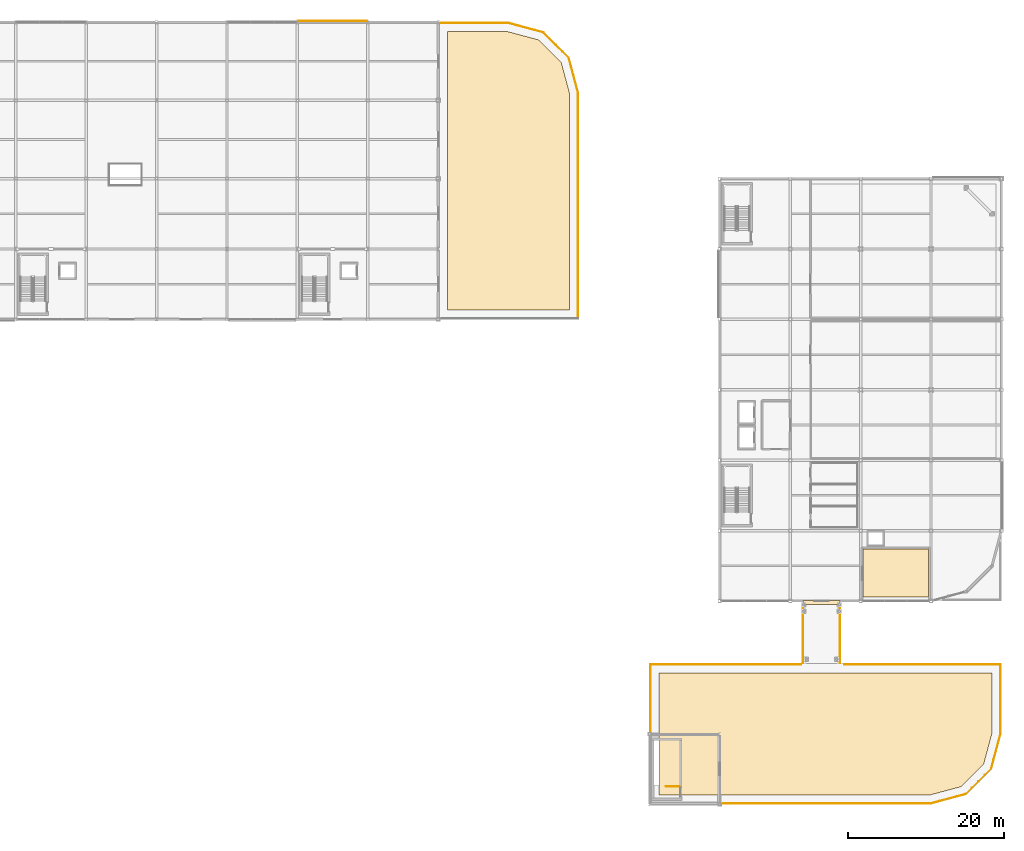
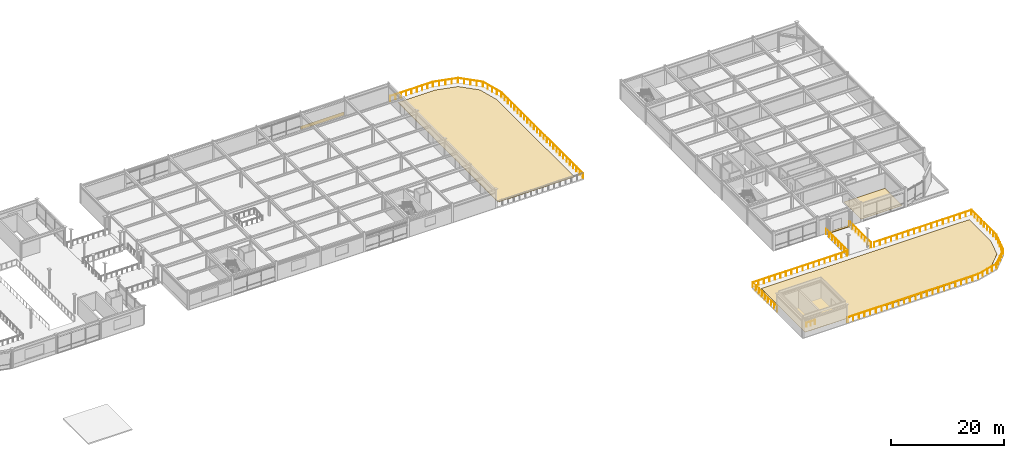
# One storey, part 49 of 53: 16 railings, 5 coverings.
"""IFC4 building model written with IfcOpenShell, lengths in metres."""

from ifc_helpers import new_model, si_unit, direction, frame, origin, origin_2d, place, context, subcontext, project, spatial, polyline, rectangle, circle, outline, extrude, material, layer, layer_set, type_object, element, save


model = new_model("IFC4")

# Units and contexts
model_context = context("Model", 3, precision=1e-05, world=origin(), true_north=direction((0.0, 1.0)))
body_context = subcontext(model_context, "Body", "Model", "MODEL_VIEW")
ifc_project = project(units=[si_unit("LENGTHUNIT", "METRE"), si_unit("AREAUNIT", "SQUARE_METRE"), si_unit("VOLUMEUNIT", "CUBIC_METRE"), si_unit("PLANEANGLEUNIT", "RADIAN"), si_unit("MASSUNIT", "GRAM", prefix="KILO")], contexts=[model_context])

# Site, building, storey
site_placement = place(None, origin())
site = spatial("IfcSite", under=ifc_project, at=site_placement, CompositionType="ELEMENT")
building_placement = place(site_placement, origin())
building = spatial("IfcBuilding", under=site, at=building_placement, Name="Suzunagisa Mobility Hub", CompositionType="ELEMENT")
storey_placement = place(building_placement, frame((0.0, 0.0, 17.699951171875)))
storey = spatial("IfcBuildingStorey", under=building, at=storey_placement, Name="L04", CompositionType="ELEMENT", Elevation=17.699951171875)

# Railing
ifc_material_1 = material(Name="Stainless Steel SUS304", Category="metal")
railing_type_1 = type_object("IfcRailingType", Name="Interior Well Guardrail IGR-01", PredefinedType="GUARDRAIL", material=ifc_material_1)
railing_1_placement = place(storey_placement, frame((138.840087890625, 20.31005859375, 0.0)))
element("IfcRailing", 1, at=railing_1_placement, inside=storey, type_object=railing_type_1, Name="L04 ST-09 top well guard 1", PredefinedType="GUARDRAIL", context=body_context, shape_type="SweptSolid", body=[
    extrude(circle(Radius=0.02392578125, at=origin_2d()), frame((0.0, 0.0, 1.09619140625), z_axis=(-1.0, 0.0, 0.0), x_axis=(0.0, -1.0, 0.0)), (0.0, 0.0, 1.0), 1.719970703125),
    extrude(circle(Radius=0.02099609375, at=origin_2d()), origin(), (0.0, 0.0, 1.0), 1.072021484375),
    extrude(circle(Radius=0.02099609375, at=origin_2d()), frame((-0.85986328125, 0.0, 0.0)), (0.0, 0.0, 1.0), 1.072021484375),
    extrude(circle(Radius=0.02099609375, at=origin_2d()), frame((-1.719970703125, 0.0, 0.0)), (0.0, 0.0, 1.0), 1.072021484375),
])

# Coverings
ifc_material_2 = material(Name="Polished Aggregate Terrazzo Finish")
ifc_layer_1 = layer(ifc_material_2, 0.02001953125)
ifc_layer_set_1 = layer_set([ifc_layer_1], Name="Polished Aggregate Terrazzo Finish")
covering_type_1 = type_object("IfcCoveringType", Name="Polished Terrazzo Heavy-Traffic Flooring FLR-01", PredefinedType="FLOORING", material=ifc_layer_set_1)
covering_1_placement = place(storey_placement, origin())
element("IfcCovering", 2, at=covering_1_placement, inside=storey, type_object=covering_type_1, Name="L04 East Wing Heat-Recovery Plant Room L04 Terrazzo Flooring", PredefinedType="FLOORING", context=body_context, shape_type="SweptSolid", body=[
    extrude(outline(polyline([(170.679931640625, 50.679931640625), (170.679931640625, 44.52001953125), (162.27001953125, 44.52001953125), (162.27001953125, 50.679931640625), (170.679931640625, 50.679931640625)])), origin(), (0.0, 0.0, 1.0), 0.02001953125),
])
covering_2_placement = place(storey_placement, frame((0.0, 0.0, -0.02001953125)))
element("IfcCovering", 3, at=covering_2_placement, inside=storey, type_object=covering_type_1, Name="L04 Flush Hinged Seismic Threshold Plate SB-06", PredefinedType="FLOORING", context=body_context, shape_type="SweptSolid", body=[
    extrude(outline(polyline([(154.64990234375, 43.570068359375), (159.35009765625, 43.570068359375), (159.35009765625, 44.080078125), (154.64990234375, 44.080078125), (154.64990234375, 43.570068359375)])), origin(), (0.0, 0.0, 1.0), 0.02001953125),
])
ifc_material_3 = material(Name="Vitreous Porcelain Enamel Aluminum Cladding", Category="aluminium")
ifc_layer_2 = layer(ifc_material_3, 0.034912109375)
ifc_layer_set_2 = layer_set([ifc_layer_2], Name="Vitreous Porcelain Enamel Aluminum Cladding")
covering_type_2 = type_object("IfcCoveringType", Name="Porcelain Enamel Spandrel Cladding Band CLD-01", PredefinedType="CLADDING", material=ifc_layer_set_2)
covering_3_placement = place(storey_placement, frame((94.5, 118.137451171875, 0.06005859375), z_axis=(0.0, 0.0, 1.0), x_axis=(-1.0, 0.0, 0.0)))
element("IfcCovering", 4, at=covering_3_placement, inside=storey, type_object=covering_type_2, Name="L04 Porcelain Spandrel Cladding Band CLD-26", PredefinedType="CLADDING", context=body_context, shape_type="SweptSolid", body=[
    extrude(rectangle(XDim=8.89111328125, YDim=0.034912109375, at=origin_2d()), origin(), (0.0, 0.0, 1.0), 0.719970703125),
])

# Railings
ifc_material_4 = material(Name="Anodized Aluminum and Stainless Steel SUS316", Category="metal")
railing_type_2 = type_object("IfcRailingType", Name="Streamline Ship-Deck Tubular Balustrade BL-01", PredefinedType="BALUSTRADE", material=ifc_material_4)
for number, where, name in (
    (5, (154.6201171875, 36.050048828125, 0.0), "L04 Bridge Edge Guardrail SB-06-69"),
    (6, (159.3798828125, 36.050048828125, 0.0), "L04 Bridge Edge Guardrail SB-06-70"),
):
    element("IfcRailing", number, at=place(storey_placement, frame(where)), inside=storey, type_object=railing_type_2, Name=name, PredefinedType="BALUSTRADE", context=body_context, shape_type="SweptSolid", body=[
        extrude(circle(Radius=0.02392578125, at=origin_2d()), frame((0.0, 0.0, 1.11572265625), z_axis=(0.0, 1.0, 0.0), x_axis=(-1.0, 0.0, 0.0)), (0.0, 0.0, 1.0), 7.550048828125),
        extrude(circle(Radius=0.02099609375, at=origin_2d()), origin(), (0.0, 0.0, 1.0), 1.091796875),
        extrude(circle(Radius=0.02099609375, at=origin_2d()), frame((0.0, 1.07861328125, 0.0)), (0.0, 0.0, 1.0), 1.091796875),
        extrude(circle(Radius=0.02099609375, at=origin_2d()), frame((0.0, 2.1572265625, 0.0)), (0.0, 0.0, 1.0), 1.091796875),
        extrude(circle(Radius=0.02099609375, at=origin_2d()), frame((0.0, 3.23583984375, 0.0)), (0.0, 0.0, 1.0), 1.091796875),
        extrude(circle(Radius=0.02099609375, at=origin_2d()), frame((0.0, 4.314208984375, 0.0)), (0.0, 0.0, 1.0), 1.091796875),
        extrude(circle(Radius=0.02099609375, at=origin_2d()), frame((0.0, 5.392822265625, 0.0)), (0.0, 0.0, 1.0), 1.091796875),
        extrude(circle(Radius=0.02099609375, at=origin_2d()), frame((0.0, 6.471435546875, 0.0)), (0.0, 0.0, 1.0), 1.091796875),
        extrude(circle(Radius=0.02099609375, at=origin_2d()), frame((0.0, 7.550048828125, 0.0)), (0.0, 0.0, 1.0), 1.091796875),
    ])

# Coverings
ifc_material_5 = material(Name="TPO Waterproof Membrane over Rigid Insulation")
ifc_layer_3 = layer(ifc_material_5, 0.044921875)
ifc_layer_set_3 = layer_set([ifc_layer_3], Name="TPO Waterproof Membrane over Rigid Insulation")
covering_type_3 = type_object("IfcCoveringType", Name="TPO Insulated Waterproof Roof Membrane RF-01", PredefinedType="ROOFING", material=ifc_layer_set_3)
covering_4_placement = place(storey_placement, origin())
element("IfcCovering", 7, at=covering_4_placement, inside=storey, type_object=covering_type_3, Name="L04 Terrace Deck Waterproofing Layer RF-57", PredefinedType="ROOFING", context=body_context, shape_type="SweptSolid", body=[
    extrude(outline(polyline([(109.199951171875, 81.199951171875), (109.199951171875, 116.800048828125), (116.842041015625, 116.800048828125), (120.87890625, 115.71826171875), (123.71826171875, 112.87890625), (124.800048828125, 108.842041015625), (124.800048828125, 81.199951171875), (109.199951171875, 81.199951171875)])), origin(), (0.0, 0.0, 1.0), 0.045166015625),
])
covering_5_placement = place(storey_placement, origin())
element("IfcCovering", 8, at=covering_5_placement, inside=storey, type_object=covering_type_3, Name="L04 Terrace Deck Waterproofing Layer RF-61", PredefinedType="ROOFING", context=body_context, shape_type="SweptSolid", body=[
    extrude(outline(polyline([(136.199951171875, 19.199951171875), (136.199951171875, 34.800048828125), (178.800048828125, 34.800048828125), (178.800048828125, 27.157958984375), (177.71826171875, 23.12109375), (174.87890625, 20.28173828125), (170.842041015625, 19.199951171875), (136.199951171875, 19.199951171875)])), origin(), (0.0, 0.0, 1.0), 0.045166015625),
])

# Railings
ifc_material_6 = material(Name="Stainless Steel SUS316", Category="metal")
railing_type_3 = type_object("IfcRailingType", Name="Terrace Stainless Steel Guardrail GR-01", PredefinedType="GUARDRAIL", material=ifc_material_6)
railing_2_placement = place(storey_placement, frame((108.25, 117.8798828125, 0.0)))
element("IfcRailing", 9, at=railing_2_placement, inside=storey, type_object=railing_type_3, Name="L04 Terrace Perimeter Guardrail GR-29", PredefinedType="GUARDRAIL", context=body_context, shape_type="SweptSolid", body=[
    extrude(circle(Radius=0.02392578125, at=origin_2d()), frame((0.0, 0.0, 1.09619140625), z_axis=(1.0, 0.0, 0.0), x_axis=(0.0, 1.0, 0.0)), (0.0, 0.0, 1.0), 8.734130859375),
    extrude(circle(Radius=0.02099609375, at=origin_2d()), origin(), (0.0, 0.0, 1.0), 1.072021484375),
    extrude(circle(Radius=0.02099609375, at=origin_2d()), frame((1.091796875, 0.0, 0.0)), (0.0, 0.0, 1.0), 1.072021484375),
    extrude(circle(Radius=0.02099609375, at=origin_2d()), frame((2.18359375, 0.0, 0.0)), (0.0, 0.0, 1.0), 1.072021484375),
    extrude(circle(Radius=0.02099609375, at=origin_2d()), frame((3.275390625, 0.0, 0.0)), (0.0, 0.0, 1.0), 1.072021484375),
    extrude(circle(Radius=0.02099609375, at=origin_2d()), frame((4.3671875, 0.0, 0.0)), (0.0, 0.0, 1.0), 1.072021484375),
    extrude(circle(Radius=0.02099609375, at=origin_2d()), frame((5.458740234375, 0.0, 0.0)), (0.0, 0.0, 1.0), 1.072021484375),
    extrude(circle(Radius=0.02099609375, at=origin_2d()), frame((6.550537109375, 0.0, 0.0)), (0.0, 0.0, 1.0), 1.072021484375),
    extrude(circle(Radius=0.02099609375, at=origin_2d()), frame((7.642333984375, 0.0, 0.0)), (0.0, 0.0, 1.0), 1.072021484375),
    extrude(circle(Radius=0.02099609375, at=origin_2d()), frame((8.734130859375, 0.0, 0.0)), (0.0, 0.0, 1.0), 1.072021484375),
])
railing_3_placement = place(storey_placement, frame((116.984130859375, 117.8798828125, 0.0)))
element("IfcRailing", 10, at=railing_3_placement, inside=storey, type_object=railing_type_3, Name="L04 Terrace Perimeter Guardrail GR-30", PredefinedType="GUARDRAIL", context=body_context, shape_type="SweptSolid", body=[
    extrude(circle(Radius=0.02392578125, at=origin_2d()), frame((0.0, 0.0, 1.09619140625), z_axis=(0.965928435479, -0.258809307275, 0.0), x_axis=(0.258809307275, 0.965928435479, 0.0)), (0.0, 0.0, 1.0), 4.61083984375),
    extrude(circle(Radius=0.02099609375, at=origin_2d()), origin(), (0.0, 0.0, 1.0), 1.072021484375),
    extrude(circle(Radius=0.02099609375, at=origin_2d()), frame((1.113525390625, -0.29833984375, 0.0)), (0.0, 0.0, 1.0), 1.072021484375),
    extrude(circle(Radius=0.02099609375, at=origin_2d()), frame((2.22705078125, -0.5966796875, 0.0)), (0.0, 0.0, 1.0), 1.072021484375),
    extrude(circle(Radius=0.02099609375, at=origin_2d()), frame((3.34033203125, -0.89501953125, 0.0)), (0.0, 0.0, 1.0), 1.072021484375),
    extrude(circle(Radius=0.02099609375, at=origin_2d()), frame((4.453857421875, -1.193359375, 0.0)), (0.0, 0.0, 1.0), 1.072021484375),
])
railing_4_placement = place(storey_placement, frame((121.43798828125, 116.6865234375, 0.0)))
element("IfcRailing", 11, at=railing_4_placement, inside=storey, type_object=railing_type_3, Name="L04 Terrace Perimeter Guardrail GR-31", PredefinedType="GUARDRAIL", context=body_context, shape_type="SweptSolid", body=[
    extrude(circle(Radius=0.02392578125, at=origin_2d()), frame((0.0, 0.0, 1.09619140625), z_axis=(0.707106781187, -0.707106781187, 0.0), x_axis=(0.707106781187, 0.707106781187, 0.0)), (0.0, 0.0, 1.0), 4.59423828125),
    extrude(circle(Radius=0.02099609375, at=origin_2d()), origin(), (0.0, 0.0, 1.0), 1.072021484375),
    extrude(circle(Radius=0.02099609375, at=origin_2d()), frame((0.81201171875, -0.81201171875, 0.0)), (0.0, 0.0, 1.0), 1.072021484375),
    extrude(circle(Radius=0.02099609375, at=origin_2d()), frame((1.624267578125, -1.624267578125, 0.0)), (0.0, 0.0, 1.0), 1.072021484375),
    extrude(circle(Radius=0.02099609375, at=origin_2d()), frame((2.4365234375, -2.4365234375, 0.0)), (0.0, 0.0, 1.0), 1.072021484375),
    extrude(circle(Radius=0.02099609375, at=origin_2d()), frame((3.24853515625, -3.24853515625, 0.0)), (0.0, 0.0, 1.0), 1.072021484375),
])
railing_5_placement = place(storey_placement, frame((124.6865234375, 113.43798828125, 0.0)))
element("IfcRailing", 12, at=railing_5_placement, inside=storey, type_object=railing_type_3, Name="L04 Terrace Perimeter Guardrail GR-32", PredefinedType="GUARDRAIL", context=body_context, shape_type="SweptSolid", body=[
    extrude(circle(Radius=0.02392578125, at=origin_2d()), frame((0.0, 0.0, 1.09619140625), z_axis=(0.258809307275, -0.965928435479, 0.0), x_axis=(0.965928435479, 0.258809307275, 0.0)), (0.0, 0.0, 1.0), 4.61083984375),
    extrude(circle(Radius=0.02099609375, at=origin_2d()), origin(), (0.0, 0.0, 1.0), 1.072021484375),
    extrude(circle(Radius=0.02099609375, at=origin_2d()), frame((0.29833984375, -1.113525390625, 0.0)), (0.0, 0.0, 1.0), 1.072021484375),
    extrude(circle(Radius=0.02099609375, at=origin_2d()), frame((0.5966796875, -2.22705078125, 0.0)), (0.0, 0.0, 1.0), 1.072021484375),
    extrude(circle(Radius=0.02099609375, at=origin_2d()), frame((0.89501953125, -3.34033203125, 0.0)), (0.0, 0.0, 1.0), 1.072021484375),
    extrude(circle(Radius=0.02099609375, at=origin_2d()), frame((1.193359375, -4.453857421875, 0.0)), (0.0, 0.0, 1.0), 1.072021484375),
])
railing_6_placement = place(storey_placement, frame((125.8798828125, 108.984130859375, 0.0)))
element("IfcRailing", 13, at=railing_6_placement, inside=storey, type_object=railing_type_3, Name="L04 Terrace Perimeter Guardrail GR-33", PredefinedType="GUARDRAIL", context=body_context, shape_type="SweptSolid", body=[
    extrude(circle(Radius=0.02392578125, at=origin_2d()), frame((0.0, 0.0, 1.09619140625), z_axis=(0.0, -1.0, 0.0), x_axis=(1.0, 0.0, 0.0)), (0.0, 0.0, 1.0), 28.864013671875),
    extrude(circle(Radius=0.02099609375, at=origin_2d()), origin(), (0.0, 0.0, 1.0), 1.072021484375),
    extrude(circle(Radius=0.02099609375, at=origin_2d()), frame((0.0, -1.154541015625, 0.0)), (0.0, 0.0, 1.0), 1.072021484375),
    extrude(circle(Radius=0.02099609375, at=origin_2d()), frame((0.0, -2.30908203125, 0.0)), (0.0, 0.0, 1.0), 1.072021484375),
    extrude(circle(Radius=0.02099609375, at=origin_2d()), frame((0.0, -3.463623046875, 0.0)), (0.0, 0.0, 1.0), 1.072021484375),
    extrude(circle(Radius=0.02099609375, at=origin_2d()), frame((0.0, -4.6181640625, 0.0)), (0.0, 0.0, 1.0), 1.072021484375),
    extrude(circle(Radius=0.02099609375, at=origin_2d()), frame((0.0, -5.772705078125, 0.0)), (0.0, 0.0, 1.0), 1.072021484375),
    extrude(circle(Radius=0.02099609375, at=origin_2d()), frame((0.0, -6.92724609375, 0.0)), (0.0, 0.0, 1.0), 1.072021484375),
    extrude(circle(Radius=0.02099609375, at=origin_2d()), frame((0.0, -8.08203125, 0.0)), (0.0, 0.0, 1.0), 1.072021484375),
    extrude(circle(Radius=0.02099609375, at=origin_2d()), frame((0.0, -9.236572265625, 0.0)), (0.0, 0.0, 1.0), 1.072021484375),
    extrude(circle(Radius=0.02099609375, at=origin_2d()), frame((0.0, -10.39111328125, 0.0)), (0.0, 0.0, 1.0), 1.072021484375),
    extrude(circle(Radius=0.02099609375, at=origin_2d()), frame((0.0, -11.545654296875, 0.0)), (0.0, 0.0, 1.0), 1.072021484375),
    extrude(circle(Radius=0.02099609375, at=origin_2d()), frame((0.0, -12.7001953125, 0.0)), (0.0, 0.0, 1.0), 1.072021484375),
    extrude(circle(Radius=0.02099609375, at=origin_2d()), frame((0.0, -13.854736328125, 0.0)), (0.0, 0.0, 1.0), 1.072021484375),
    extrude(circle(Radius=0.02099609375, at=origin_2d()), frame((0.0, -15.00927734375, 0.0)), (0.0, 0.0, 1.0), 1.072021484375),
    extrude(circle(Radius=0.02099609375, at=origin_2d()), frame((0.0, -16.163818359375, 0.0)), (0.0, 0.0, 1.0), 1.072021484375),
    extrude(circle(Radius=0.02099609375, at=origin_2d()), frame((0.0, -17.318359375, 0.0)), (0.0, 0.0, 1.0), 1.072021484375),
    extrude(circle(Radius=0.02099609375, at=origin_2d()), frame((0.0, -18.472900390625, 0.0)), (0.0, 0.0, 1.0), 1.072021484375),
    extrude(circle(Radius=0.02099609375, at=origin_2d()), frame((0.0, -19.62744140625, 0.0)), (0.0, 0.0, 1.0), 1.072021484375),
    extrude(circle(Radius=0.02099609375, at=origin_2d()), frame((0.0, -20.781982421875, 0.0)), (0.0, 0.0, 1.0), 1.072021484375),
    extrude(circle(Radius=0.02099609375, at=origin_2d()), frame((0.0, -21.936767578125, 0.0)), (0.0, 0.0, 1.0), 1.072021484375),
    extrude(circle(Radius=0.02099609375, at=origin_2d()), frame((0.0, -23.09130859375, 0.0)), (0.0, 0.0, 1.0), 1.072021484375),
    extrude(circle(Radius=0.02099609375, at=origin_2d()), frame((0.0, -24.245849609375, 0.0)), (0.0, 0.0, 1.0), 1.072021484375),
    extrude(circle(Radius=0.02099609375, at=origin_2d()), frame((0.0, -25.400390625, 0.0)), (0.0, 0.0, 1.0), 1.072021484375),
    extrude(circle(Radius=0.02099609375, at=origin_2d()), frame((0.0, -26.554931640625, 0.0)), (0.0, 0.0, 1.0), 1.072021484375),
    extrude(circle(Radius=0.02099609375, at=origin_2d()), frame((0.0, -27.70947265625, 0.0)), (0.0, 0.0, 1.0), 1.072021484375),
    extrude(circle(Radius=0.02099609375, at=origin_2d()), frame((0.0, -28.864013671875, 0.0)), (0.0, 0.0, 1.0), 1.072021484375),
])
railing_7_placement = place(storey_placement, frame((135.1201171875, 27.25, 0.0)))
element("IfcRailing", 14, at=railing_7_placement, inside=storey, type_object=railing_type_3, Name="L04 Terrace Perimeter Guardrail GR-45", PredefinedType="GUARDRAIL", context=body_context, shape_type="SweptSolid", body=[
    extrude(circle(Radius=0.02392578125, at=origin_2d()), frame((0.0, 0.0, 1.09619140625), z_axis=(0.0, 1.0, 0.0), x_axis=(-1.0, 0.0, 0.0)), (0.0, 0.0, 1.0), 8.6298828125),
    extrude(circle(Radius=0.02099609375, at=origin_2d()), origin(), (0.0, 0.0, 1.0), 1.072021484375),
    extrude(circle(Radius=0.02099609375, at=origin_2d()), frame((0.0, 1.07861328125, 0.0)), (0.0, 0.0, 1.0), 1.072021484375),
    extrude(circle(Radius=0.02099609375, at=origin_2d()), frame((0.0, 2.157470703125, 0.0)), (0.0, 0.0, 1.0), 1.072021484375),
    extrude(circle(Radius=0.02099609375, at=origin_2d()), frame((0.0, 3.236328125, 0.0)), (0.0, 0.0, 1.0), 1.072021484375),
    extrude(circle(Radius=0.02099609375, at=origin_2d()), frame((0.0, 4.31494140625, 0.0)), (0.0, 0.0, 1.0), 1.072021484375),
    extrude(circle(Radius=0.02099609375, at=origin_2d()), frame((0.0, 5.3935546875, 0.0)), (0.0, 0.0, 1.0), 1.072021484375),
    extrude(circle(Radius=0.02099609375, at=origin_2d()), frame((0.0, 6.472412109375, 0.0)), (0.0, 0.0, 1.0), 1.072021484375),
    extrude(circle(Radius=0.02099609375, at=origin_2d()), frame((0.0, 7.55126953125, 0.0)), (0.0, 0.0, 1.0), 1.072021484375),
    extrude(circle(Radius=0.02099609375, at=origin_2d()), frame((0.0, 8.6298828125, 0.0)), (0.0, 0.0, 1.0), 1.072021484375),
])
railing_8_placement = place(storey_placement, frame((135.1201171875, 35.8798828125, 0.0)))
element("IfcRailing", 15, at=railing_8_placement, inside=storey, type_object=railing_type_3, Name="L04 Terrace Perimeter Guardrail GR-46", PredefinedType="GUARDRAIL", context=body_context, shape_type="SweptSolid", body=[
    extrude(circle(Radius=0.02392578125, at=origin_2d()), frame((0.0, 0.0, 1.09619140625), z_axis=(1.0, 0.0, 0.0), x_axis=(0.0, 1.0, 0.0)), (0.0, 0.0, 1.0), 19.259765625),
    extrude(circle(Radius=0.02099609375, at=origin_2d()), origin(), (0.0, 0.0, 1.0), 1.072021484375),
    extrude(circle(Radius=0.02099609375, at=origin_2d()), frame((1.1328125, 0.0, 0.0)), (0.0, 0.0, 1.0), 1.072021484375),
    extrude(circle(Radius=0.02099609375, at=origin_2d()), frame((2.265869140625, 0.0, 0.0)), (0.0, 0.0, 1.0), 1.072021484375),
    extrude(circle(Radius=0.02099609375, at=origin_2d()), frame((3.398681640625, 0.0, 0.0)), (0.0, 0.0, 1.0), 1.072021484375),
    extrude(circle(Radius=0.02099609375, at=origin_2d()), frame((4.53173828125, 0.0, 0.0)), (0.0, 0.0, 1.0), 1.072021484375),
    extrude(circle(Radius=0.02099609375, at=origin_2d()), frame((5.66455078125, 0.0, 0.0)), (0.0, 0.0, 1.0), 1.072021484375),
    extrude(circle(Radius=0.02099609375, at=origin_2d()), frame((6.797607421875, 0.0, 0.0)), (0.0, 0.0, 1.0), 1.072021484375),
    extrude(circle(Radius=0.02099609375, at=origin_2d()), frame((7.930419921875, 0.0, 0.0)), (0.0, 0.0, 1.0), 1.072021484375),
    extrude(circle(Radius=0.02099609375, at=origin_2d()), frame((9.0634765625, 0.0, 0.0)), (0.0, 0.0, 1.0), 1.072021484375),
    extrude(circle(Radius=0.02099609375, at=origin_2d()), frame((10.1962890625, 0.0, 0.0)), (0.0, 0.0, 1.0), 1.072021484375),
    extrude(circle(Radius=0.02099609375, at=origin_2d()), frame((11.329345703125, 0.0, 0.0)), (0.0, 0.0, 1.0), 1.072021484375),
    extrude(circle(Radius=0.02099609375, at=origin_2d()), frame((12.462158203125, 0.0, 0.0)), (0.0, 0.0, 1.0), 1.072021484375),
    extrude(circle(Radius=0.02099609375, at=origin_2d()), frame((13.59521484375, 0.0, 0.0)), (0.0, 0.0, 1.0), 1.072021484375),
    extrude(circle(Radius=0.02099609375, at=origin_2d()), frame((14.72802734375, 0.0, 0.0)), (0.0, 0.0, 1.0), 1.072021484375),
    extrude(circle(Radius=0.02099609375, at=origin_2d()), frame((15.861083984375, 0.0, 0.0)), (0.0, 0.0, 1.0), 1.072021484375),
    extrude(circle(Radius=0.02099609375, at=origin_2d()), frame((16.993896484375, 0.0, 0.0)), (0.0, 0.0, 1.0), 1.072021484375),
    extrude(circle(Radius=0.02099609375, at=origin_2d()), frame((18.126953125, 0.0, 0.0)), (0.0, 0.0, 1.0), 1.072021484375),
    extrude(circle(Radius=0.02099609375, at=origin_2d()), frame((19.259765625, 0.0, 0.0)), (0.0, 0.0, 1.0), 1.072021484375),
])
railing_9_placement = place(storey_placement, frame((159.949951171875, 35.8798828125, 0.0)))
element("IfcRailing", 16, at=railing_9_placement, inside=storey, type_object=railing_type_3, Name="L04 Terrace Perimeter Guardrail GR-47", PredefinedType="GUARDRAIL", context=body_context, shape_type="SweptSolid", body=[
    extrude(circle(Radius=0.02392578125, at=origin_2d()), frame((0.0, 0.0, 1.09619140625), z_axis=(1.0, 0.0, 0.0), x_axis=(0.0, 1.0, 0.0)), (0.0, 0.0, 1.0), 19.929931640625),
    extrude(circle(Radius=0.02099609375, at=origin_2d()), origin(), (0.0, 0.0, 1.0), 1.072021484375),
    extrude(circle(Radius=0.02099609375, at=origin_2d()), frame((1.17236328125, 0.0, 0.0)), (0.0, 0.0, 1.0), 1.072021484375),
    extrude(circle(Radius=0.02099609375, at=origin_2d()), frame((2.3447265625, 0.0, 0.0)), (0.0, 0.0, 1.0), 1.072021484375),
    extrude(circle(Radius=0.02099609375, at=origin_2d()), frame((3.51708984375, 0.0, 0.0)), (0.0, 0.0, 1.0), 1.072021484375),
    extrude(circle(Radius=0.02099609375, at=origin_2d()), frame((4.689453125, 0.0, 0.0)), (0.0, 0.0, 1.0), 1.072021484375),
    extrude(circle(Radius=0.02099609375, at=origin_2d()), frame((5.86181640625, 0.0, 0.0)), (0.0, 0.0, 1.0), 1.072021484375),
    extrude(circle(Radius=0.02099609375, at=origin_2d()), frame((7.0341796875, 0.0, 0.0)), (0.0, 0.0, 1.0), 1.072021484375),
    extrude(circle(Radius=0.02099609375, at=origin_2d()), frame((8.20654296875, 0.0, 0.0)), (0.0, 0.0, 1.0), 1.072021484375),
    extrude(circle(Radius=0.02099609375, at=origin_2d()), frame((9.37890625, 0.0, 0.0)), (0.0, 0.0, 1.0), 1.072021484375),
    extrude(circle(Radius=0.02099609375, at=origin_2d()), frame((10.551025390625, 0.0, 0.0)), (0.0, 0.0, 1.0), 1.072021484375),
    extrude(circle(Radius=0.02099609375, at=origin_2d()), frame((11.723388671875, 0.0, 0.0)), (0.0, 0.0, 1.0), 1.072021484375),
    extrude(circle(Radius=0.02099609375, at=origin_2d()), frame((12.895751953125, 0.0, 0.0)), (0.0, 0.0, 1.0), 1.072021484375),
    extrude(circle(Radius=0.02099609375, at=origin_2d()), frame((14.068115234375, 0.0, 0.0)), (0.0, 0.0, 1.0), 1.072021484375),
    extrude(circle(Radius=0.02099609375, at=origin_2d()), frame((15.240478515625, 0.0, 0.0)), (0.0, 0.0, 1.0), 1.072021484375),
    extrude(circle(Radius=0.02099609375, at=origin_2d()), frame((16.412841796875, 0.0, 0.0)), (0.0, 0.0, 1.0), 1.072021484375),
    extrude(circle(Radius=0.02099609375, at=origin_2d()), frame((17.585205078125, 0.0, 0.0)), (0.0, 0.0, 1.0), 1.072021484375),
    extrude(circle(Radius=0.02099609375, at=origin_2d()), frame((18.757568359375, 0.0, 0.0)), (0.0, 0.0, 1.0), 1.072021484375),
    extrude(circle(Radius=0.02099609375, at=origin_2d()), frame((19.929931640625, 0.0, 0.0)), (0.0, 0.0, 1.0), 1.072021484375),
])
railing_10_placement = place(storey_placement, frame((179.8798828125, 35.8798828125, 0.0)))
element("IfcRailing", 17, at=railing_10_placement, inside=storey, type_object=railing_type_3, Name="L04 Terrace Perimeter Guardrail GR-48", PredefinedType="GUARDRAIL", context=body_context, shape_type="SweptSolid", body=[
    extrude(circle(Radius=0.02392578125, at=origin_2d()), frame((0.0, 0.0, 1.09619140625), z_axis=(0.0, -1.0, 0.0), x_axis=(1.0, 0.0, 0.0)), (0.0, 0.0, 1.0), 8.864013671875),
    extrude(circle(Radius=0.02099609375, at=origin_2d()), origin(), (0.0, 0.0, 1.0), 1.072021484375),
    extrude(circle(Radius=0.02099609375, at=origin_2d()), frame((0.0, -1.10791015625, 0.0)), (0.0, 0.0, 1.0), 1.072021484375),
    extrude(circle(Radius=0.02099609375, at=origin_2d()), frame((0.0, -2.216064453125, 0.0)), (0.0, 0.0, 1.0), 1.072021484375),
    extrude(circle(Radius=0.02099609375, at=origin_2d()), frame((0.0, -3.323974609375, 0.0)), (0.0, 0.0, 1.0), 1.072021484375),
    extrude(circle(Radius=0.02099609375, at=origin_2d()), frame((0.0, -4.43212890625, 0.0)), (0.0, 0.0, 1.0), 1.072021484375),
    extrude(circle(Radius=0.02099609375, at=origin_2d()), frame((0.0, -5.5400390625, 0.0)), (0.0, 0.0, 1.0), 1.072021484375),
    extrude(circle(Radius=0.02099609375, at=origin_2d()), frame((0.0, -6.64794921875, 0.0)), (0.0, 0.0, 1.0), 1.072021484375),
    extrude(circle(Radius=0.02099609375, at=origin_2d()), frame((0.0, -7.756103515625, 0.0)), (0.0, 0.0, 1.0), 1.072021484375),
    extrude(circle(Radius=0.02099609375, at=origin_2d()), frame((0.0, -8.864013671875, 0.0)), (0.0, 0.0, 1.0), 1.072021484375),
])
railing_11_placement = place(storey_placement, frame((179.8798828125, 27.015869140625, 0.0)))
element("IfcRailing", 18, at=railing_11_placement, inside=storey, type_object=railing_type_3, Name="L04 Terrace Perimeter Guardrail GR-49", PredefinedType="GUARDRAIL", context=body_context, shape_type="SweptSolid", body=[
    extrude(circle(Radius=0.02392578125, at=origin_2d()), frame((0.0, 0.0, 1.09619140625), z_axis=(-0.258809307275, -0.965928435479, 0.0), x_axis=(0.965928435479, -0.258809307275, 0.0)), (0.0, 0.0, 1.0), 4.61083984375),
    extrude(circle(Radius=0.02099609375, at=origin_2d()), origin(), (0.0, 0.0, 1.0), 1.072021484375),
    extrude(circle(Radius=0.02099609375, at=origin_2d()), frame((-0.29833984375, -1.113525390625, 0.0)), (0.0, 0.0, 1.0), 1.072021484375),
    extrude(circle(Radius=0.02099609375, at=origin_2d()), frame((-0.5966796875, -2.22705078125, 0.0)), (0.0, 0.0, 1.0), 1.072021484375),
    extrude(circle(Radius=0.02099609375, at=origin_2d()), frame((-0.89501953125, -3.34033203125, 0.0)), (0.0, 0.0, 1.0), 1.072021484375),
    extrude(circle(Radius=0.02099609375, at=origin_2d()), frame((-1.193359375, -4.453857421875, 0.0)), (0.0, 0.0, 1.0), 1.072021484375),
])
railing_12_placement = place(storey_placement, frame((178.6865234375, 22.56201171875, 0.0)))
element("IfcRailing", 19, at=railing_12_placement, inside=storey, type_object=railing_type_3, Name="L04 Terrace Perimeter Guardrail GR-50", PredefinedType="GUARDRAIL", context=body_context, shape_type="SweptSolid", body=[
    extrude(circle(Radius=0.02392578125, at=origin_2d()), frame((0.0, 0.0, 1.09619140625), z_axis=(-0.707106781187, -0.707106781187, 0.0), x_axis=(0.707106781187, -0.707106781187, 0.0)), (0.0, 0.0, 1.0), 4.59423828125),
    extrude(circle(Radius=0.02099609375, at=origin_2d()), origin(), (0.0, 0.0, 1.0), 1.072021484375),
    extrude(circle(Radius=0.02099609375, at=origin_2d()), frame((-0.81201171875, -0.81201171875, 0.0)), (0.0, 0.0, 1.0), 1.072021484375),
    extrude(circle(Radius=0.02099609375, at=origin_2d()), frame((-1.624267578125, -1.624267578125, 0.0)), (0.0, 0.0, 1.0), 1.072021484375),
    extrude(circle(Radius=0.02099609375, at=origin_2d()), frame((-2.4365234375, -2.4365234375, 0.0)), (0.0, 0.0, 1.0), 1.072021484375),
    extrude(circle(Radius=0.02099609375, at=origin_2d()), frame((-3.24853515625, -3.24853515625, 0.0)), (0.0, 0.0, 1.0), 1.072021484375),
])
railing_13_placement = place(storey_placement, frame((175.43798828125, 19.3134765625, 0.0)))
element("IfcRailing", 20, at=railing_13_placement, inside=storey, type_object=railing_type_3, Name="L04 Terrace Perimeter Guardrail GR-51", PredefinedType="GUARDRAIL", context=body_context, shape_type="SweptSolid", body=[
    extrude(circle(Radius=0.02392578125, at=origin_2d()), frame((0.0, 0.0, 1.09619140625), z_axis=(-0.965928435479, -0.258809307275, 0.0), x_axis=(0.258809307275, -0.965928435479, 0.0)), (0.0, 0.0, 1.0), 4.61083984375),
    extrude(circle(Radius=0.02099609375, at=origin_2d()), origin(), (0.0, 0.0, 1.0), 1.072021484375),
    extrude(circle(Radius=0.02099609375, at=origin_2d()), frame((-1.113525390625, -0.29833984375, 0.0)), (0.0, 0.0, 1.0), 1.072021484375),
    extrude(circle(Radius=0.02099609375, at=origin_2d()), frame((-2.22705078125, -0.5966796875, 0.0)), (0.0, 0.0, 1.0), 1.072021484375),
    extrude(circle(Radius=0.02099609375, at=origin_2d()), frame((-3.34033203125, -0.89501953125, 0.0)), (0.0, 0.0, 1.0), 1.072021484375),
    extrude(circle(Radius=0.02099609375, at=origin_2d()), frame((-4.453857421875, -1.193359375, 0.0)), (0.0, 0.0, 1.0), 1.072021484375),
])
railing_14_placement = place(storey_placement, frame((170.984130859375, 18.1201171875, 0.0)))
element("IfcRailing", 21, at=railing_14_placement, inside=storey, type_object=railing_type_3, Name="L04 Terrace Perimeter Guardrail GR-52", PredefinedType="GUARDRAIL", context=body_context, shape_type="SweptSolid", body=[
    extrude(circle(Radius=0.02392578125, at=origin_2d()), frame((0.0, 0.0, 1.09619140625), z_axis=(-1.0, 0.0, 0.0), x_axis=(0.0, -1.0, 0.0)), (0.0, 0.0, 1.0), 26.734130859375),
    extrude(circle(Radius=0.02099609375, at=origin_2d()), origin(), (0.0, 0.0, 1.0), 1.072021484375),
    extrude(circle(Radius=0.02099609375, at=origin_2d()), frame((-1.162353515625, 0.0, 0.0)), (0.0, 0.0, 1.0), 1.072021484375),
    extrude(circle(Radius=0.02099609375, at=origin_2d()), frame((-2.32470703125, 0.0, 0.0)), (0.0, 0.0, 1.0), 1.072021484375),
    extrude(circle(Radius=0.02099609375, at=origin_2d()), frame((-3.487060546875, 0.0, 0.0)), (0.0, 0.0, 1.0), 1.072021484375),
    extrude(circle(Radius=0.02099609375, at=origin_2d()), frame((-4.6494140625, 0.0, 0.0)), (0.0, 0.0, 1.0), 1.072021484375),
    extrude(circle(Radius=0.02099609375, at=origin_2d()), frame((-5.811767578125, 0.0, 0.0)), (0.0, 0.0, 1.0), 1.072021484375),
    extrude(circle(Radius=0.02099609375, at=origin_2d()), frame((-6.97412109375, 0.0, 0.0)), (0.0, 0.0, 1.0), 1.072021484375),
    extrude(circle(Radius=0.02099609375, at=origin_2d()), frame((-8.136474609375, 0.0, 0.0)), (0.0, 0.0, 1.0), 1.072021484375),
    extrude(circle(Radius=0.02099609375, at=origin_2d()), frame((-9.298828125, 0.0, 0.0)), (0.0, 0.0, 1.0), 1.072021484375),
    extrude(circle(Radius=0.02099609375, at=origin_2d()), frame((-10.461181640625, 0.0, 0.0)), (0.0, 0.0, 1.0), 1.072021484375),
    extrude(circle(Radius=0.02099609375, at=origin_2d()), frame((-11.62353515625, 0.0, 0.0)), (0.0, 0.0, 1.0), 1.072021484375),
    extrude(circle(Radius=0.02099609375, at=origin_2d()), frame((-12.785888671875, 0.0, 0.0)), (0.0, 0.0, 1.0), 1.072021484375),
    extrude(circle(Radius=0.02099609375, at=origin_2d()), frame((-13.9482421875, 0.0, 0.0)), (0.0, 0.0, 1.0), 1.072021484375),
    extrude(circle(Radius=0.02099609375, at=origin_2d()), frame((-15.110595703125, 0.0, 0.0)), (0.0, 0.0, 1.0), 1.072021484375),
    extrude(circle(Radius=0.02099609375, at=origin_2d()), frame((-16.27294921875, 0.0, 0.0)), (0.0, 0.0, 1.0), 1.072021484375),
    extrude(circle(Radius=0.02099609375, at=origin_2d()), frame((-17.435302734375, 0.0, 0.0)), (0.0, 0.0, 1.0), 1.072021484375),
    extrude(circle(Radius=0.02099609375, at=origin_2d()), frame((-18.59765625, 0.0, 0.0)), (0.0, 0.0, 1.0), 1.072021484375),
    extrude(circle(Radius=0.02099609375, at=origin_2d()), frame((-19.760009765625, 0.0, 0.0)), (0.0, 0.0, 1.0), 1.072021484375),
    extrude(circle(Radius=0.02099609375, at=origin_2d()), frame((-20.92236328125, 0.0, 0.0)), (0.0, 0.0, 1.0), 1.072021484375),
    extrude(circle(Radius=0.02099609375, at=origin_2d()), frame((-22.084716796875, 0.0, 0.0)), (0.0, 0.0, 1.0), 1.072021484375),
    extrude(circle(Radius=0.02099609375, at=origin_2d()), frame((-23.2470703125, 0.0, 0.0)), (0.0, 0.0, 1.0), 1.072021484375),
    extrude(circle(Radius=0.02099609375, at=origin_2d()), frame((-24.409423828125, 0.0, 0.0)), (0.0, 0.0, 1.0), 1.072021484375),
    extrude(circle(Radius=0.02099609375, at=origin_2d()), frame((-25.57177734375, 0.0, 0.0)), (0.0, 0.0, 1.0), 1.072021484375),
    extrude(circle(Radius=0.02099609375, at=origin_2d()), frame((-26.734130859375, 0.0, 0.0)), (0.0, 0.0, 1.0), 1.072021484375),
])

save(model, "model.ifc")
